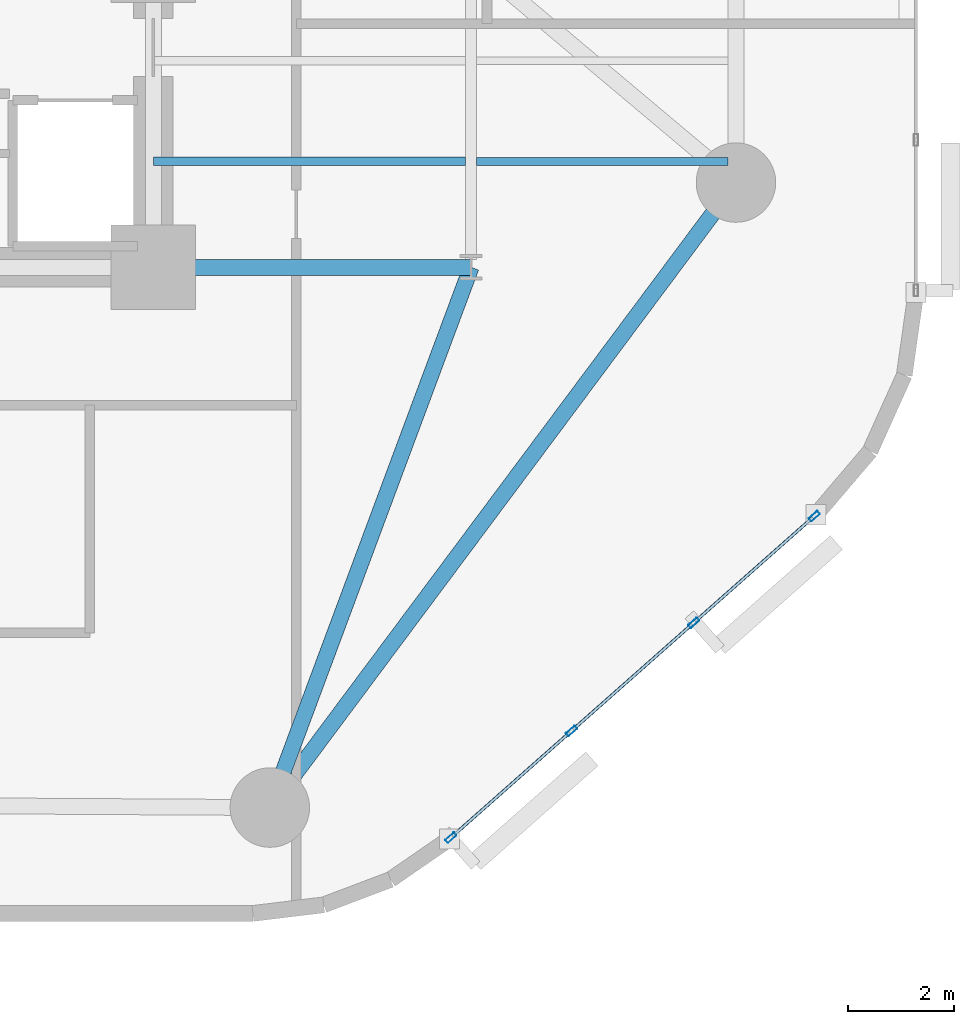
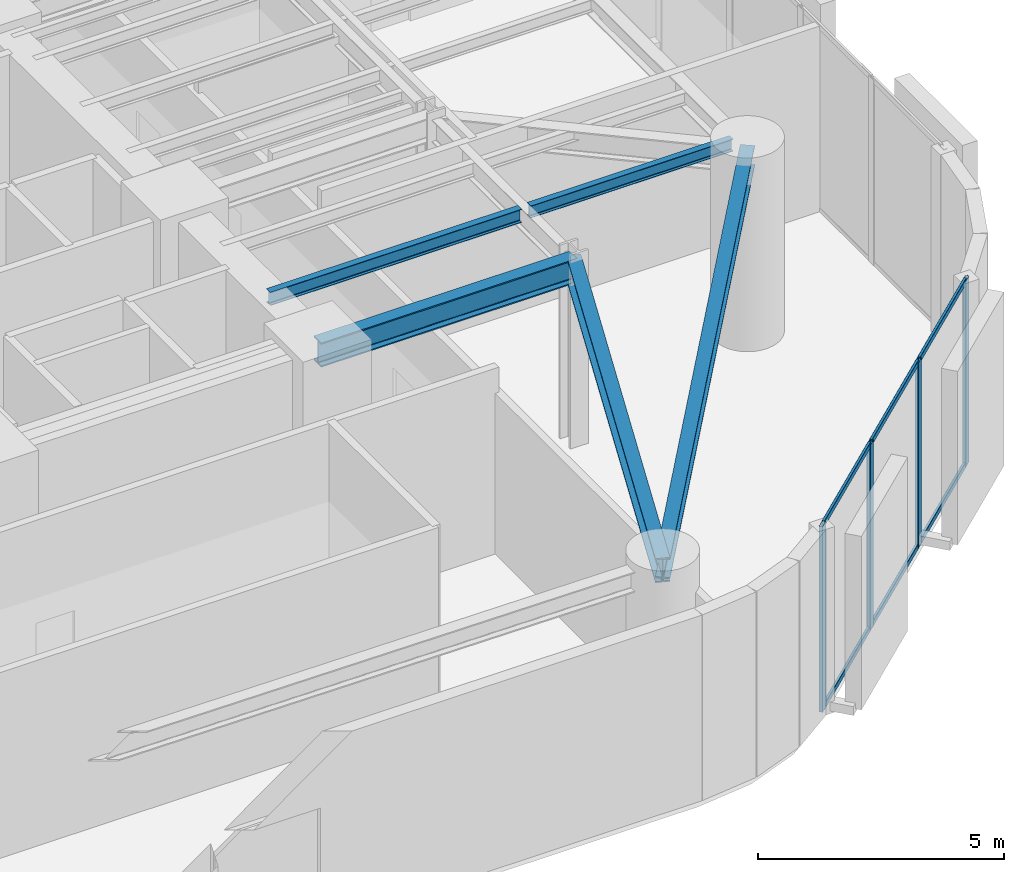
# One storey, part 2 of 13: 10 members, 5 beams, 1 element without a shape of its own.
"""IFC4 building model written with IfcOpenShell, lengths in metres."""

from ifc_helpers import new_model, si_unit, direction, frame, origin, origin_2d, place, context, subcontext, project, spatial, hollow_rectangle, i_section, extrude, material, layer, layer_set, material_profile, profile_set, type_object, element, aggregate, save


model = new_model("IFC4")

# Units and contexts
model_context = context("Model", 3, precision=1e-05, world=origin(), true_north=direction((0.0, 1.0)))
body_context = subcontext(model_context, "Body", "Model", "MODEL_VIEW")
ifc_project = project(units=[si_unit("LENGTHUNIT", "METRE"), si_unit("AREAUNIT", "SQUARE_METRE"), si_unit("VOLUMEUNIT", "CUBIC_METRE"), si_unit("PLANEANGLEUNIT", "RADIAN"), si_unit("MASSUNIT", "GRAM", prefix="KILO")], contexts=[model_context])

# Site, building, storey
site_placement = place(None, origin())
site = spatial("IfcSite", under=ifc_project, at=site_placement, CompositionType="ELEMENT")
building_placement = place(site_placement, origin())
building = spatial("IfcBuilding", under=site, at=building_placement, Name="An Khanh Terracotta Commons", CompositionType="ELEMENT")
storey_placement = place(building_placement, frame((0.0, 0.0, 24.0)))
storey = spatial("IfcBuildingStorey", under=building, at=storey_placement, Name="L06", CompositionType="ELEMENT", Elevation=24.0)

# Beams
ifc_material_1 = material(Name="Steel S355J2", Category="steel")
ifc_material_profile_1 = material_profile(ifc_material_1, i_section(OverallWidth=0.300048828125, OverallDepth=0.5, WebThickness=0.014404296875, FlangeThickness=0.028076171875, FilletRadius=0.027099609375, at=origin_2d()), Name="HEB500")
ifc_profile_set_1 = profile_set([ifc_material_profile_1], Name="Steel S355J2")
beam_type_1 = type_object("IfcBeamType", Name="BM-HEB500", PredefinedType="BEAM", material=ifc_profile_set_1)
beam_1_placement = place(storey_placement, frame((39.39990234375, 4.199951171875, 4.35009765625), z_axis=(0.59782442166, 0.801627070942, 0.0), x_axis=(-0.801627070942, 0.59782442166, 0.0)))
element("IfcBeam", 1, at=beam_1_placement, inside=storey, type_object=beam_type_1, Name="L06 Perimeter Ring Spandrel 2", PredefinedType="BEAM", context=body_context, shape_type="SweptSolid", body=[
    extrude(i_section(OverallWidth=0.300048828125, OverallDepth=0.5, WebThickness=0.014404296875, FlangeThickness=0.028076171875, FilletRadius=0.027099609375, at=origin_2d()), origin(), (0.0, 0.0, 1.0), 14.72021484375),
])
ifc_material_profile_2 = material_profile(ifc_material_1, i_section(OverallWidth=0.300048828125, OverallDepth=0.60009765625, WebThickness=0.015380859375, FlangeThickness=0.030029296875, FilletRadius=0.027099609375, at=origin_2d()), Name="HEB600")
ifc_profile_set_2 = profile_set([ifc_material_profile_2], Name="Steel S355J2")
beam_type_2 = type_object("IfcBeamType", Name="BM-HEB600", PredefinedType="BEAM", material=ifc_profile_set_2)
beam_2_placement = place(storey_placement, frame((37.199951171875, 14.39990234375, 4.300048828125), z_axis=(1.0, 0.0, 0.0), x_axis=(0.0, 1.0, 0.0)))
element("IfcBeam", 2, at=beam_2_placement, inside=storey, type_object=beam_type_2, Name="L06 East Primary Floor Girder 1", PredefinedType="BEAM", context=body_context, shape_type="SweptSolid", body=[
    extrude(i_section(OverallWidth=0.300048828125, OverallDepth=0.60009765625, WebThickness=0.015380859375, FlangeThickness=0.030029296875, FilletRadius=0.027099609375, at=origin_2d()), origin(), (0.0, 0.0, 1.0), 6.0),
])
beam_3_placement = place(storey_placement, frame((39.39990234375, 4.199951171875, 4.300048828125), z_axis=(0.349114429862, 0.937080100558, 0.0), x_axis=(-0.937080100558, 0.349114429862, 0.0)))
element("IfcBeam", 3, at=beam_3_placement, inside=storey, type_object=beam_type_2, Name="L06 Mega-Column Tie Girder 2", PredefinedType="BEAM", context=body_context, shape_type="SweptSolid", body=[
    extrude(i_section(OverallWidth=0.300048828125, OverallDepth=0.60009765625, WebThickness=0.015380859375, FlangeThickness=0.030029296875, FilletRadius=0.027099609375, at=origin_2d()), origin(), (0.0, 0.0, 1.0), 10.884765625),
])
ifc_material_profile_3 = material_profile(ifc_material_1, i_section(OverallWidth=0.14990234375, OverallDepth=0.300048828125, WebThickness=0.007080078125, FlangeThickness=0.0107421875, FilletRadius=0.014892578125, at=origin_2d()), Name="IPE300")
ifc_profile_set_3 = profile_set([ifc_material_profile_3], Name="Steel S355J2")
beam_type_3 = type_object("IfcBeamType", Name="BM-IPE300", PredefinedType="JOIST", material=ifc_profile_set_3)
beam_4_placement = place(storey_placement, frame((43.304931640625, 16.39990234375, 4.449951171875), z_axis=(1.0, 0.0, 0.0), x_axis=(0.0, 1.0, 0.0)))
element("IfcBeam", 4, at=beam_4_placement, inside=storey, type_object=beam_type_3, Name="L06 Riverfront Composite Joist 1", PredefinedType="JOIST", context=body_context, shape_type="SweptSolid", body=[
    extrude(i_section(OverallWidth=0.14990234375, OverallDepth=0.300048828125, WebThickness=0.007080078125, FlangeThickness=0.0107421875, FilletRadius=0.014892578125, at=origin_2d()), origin(), (0.0, 0.0, 1.0), 4.7451171875),
])
ifc_material_profile_4 = material_profile(ifc_material_1, i_section(OverallWidth=0.159912109375, OverallDepth=0.330078125, WebThickness=0.007568359375, FlangeThickness=0.011474609375, FilletRadius=0.01806640625, at=origin_2d()), Name="IPE330")
ifc_profile_set_4 = profile_set([ifc_material_profile_4], Name="Steel S355J2")
beam_type_4 = type_object("IfcBeamType", Name="BM-IPE330", PredefinedType="JOIST", material=ifc_profile_set_4)
beam_5_placement = place(storey_placement, frame((37.199951171875, 16.39990234375, 4.43505859375), z_axis=(1.0, 0.0, 0.0), x_axis=(0.0, 1.0, 0.0)))
element("IfcBeam", 5, at=beam_5_placement, inside=storey, type_object=beam_type_4, Name="L06 Inboard Composite Joist 1", PredefinedType="JOIST", context=body_context, shape_type="SweptSolid", body=[
    extrude(i_section(OverallWidth=0.159912109375, OverallDepth=0.330078125, WebThickness=0.007568359375, FlangeThickness=0.011474609375, FilletRadius=0.01806640625, at=origin_2d()), origin(), (0.0, 0.0, 1.0), 5.89501953125),
])

# Curtain wall, members
ifc_material_2 = material(Name="Anodised Aluminium 6063-T6", Category="aluminium")
ifc_layer = layer(ifc_material_2, 0.239990234375, Name="Anodised Aluminium 6063-T6")
ifc_layer_set = layer_set([ifc_layer], Name="Anodised Aluminium 6063-T6")
curtain_wall_type = type_object("IfcCurtainWallType", Name="CW-SYS-04", PredefinedType="USERDEFINED", material=ifc_layer_set)
curtain_wall_placement = place(storey_placement, origin())
curtain_wall = element("IfcCurtainWall", 6, at=curtain_wall_placement, inside=storey, type_object=curtain_wall_type, Name="L06 CW-04 Unitised Curtain Wall CW-L06-08", ObjectType="UNITISED CURTAIN WALL", PredefinedType="USERDEFINED")
ifc_material_profile_5 = material_profile(ifc_material_2, hollow_rectangle(XDim=0.080078125, YDim=0.219970703125, WallThickness=0.0048828125, InnerFilletRadius=0.0048828125, OuterFilletRadius=0.010009765625, at=origin_2d()), Name="RHS220x80x5")
ifc_profile_set_5 = profile_set([ifc_material_profile_5], Name="Anodised Aluminium 6063-T6")
member_type_1 = type_object("IfcMemberType", Name="CWM-RHS220x80x5", PredefinedType="MULLION", material=ifc_profile_set_5)
member_1_placement = place(storey_placement, frame((42.81884765625, 3.632568359375, 0.0), z_axis=(0.0, 0.0, 1.0), x_axis=(-0.662548195415, 0.749019284633, 0.0)))
member_1 = element("IfcMember", 7, at=member_1_placement, type_object=member_type_1, Name="CW-04 mullion 1", PredefinedType="MULLION", context=body_context, shape_type="SweptSolid", body=[
    extrude(hollow_rectangle(XDim=0.080078125, YDim=0.219970703125, WallThickness=0.0048828125, InnerFilletRadius=0.0048828125, OuterFilletRadius=0.010009765625, at=origin_2d()), origin(), (0.0, 0.0, 1.0), 4.60009765625),
])
member_2_placement = place(storey_placement, frame((45.095947265625, 5.646728515625, 0.0), z_axis=(0.0, 0.0, 1.0), x_axis=(-0.662548195415, 0.749019284633, 0.0)))
member_2 = element("IfcMember", 8, at=member_2_placement, type_object=member_type_1, Name="CW-04 mullion 2", PredefinedType="MULLION", context=body_context, shape_type="SweptSolid", body=[
    extrude(hollow_rectangle(XDim=0.080078125, YDim=0.219970703125, WallThickness=0.0048828125, InnerFilletRadius=0.0048828125, OuterFilletRadius=0.010009765625, at=origin_2d()), origin(), (0.0, 0.0, 1.0), 4.60009765625),
])
member_3_placement = place(storey_placement, frame((47.403076171875, 7.687255859375, 0.0), z_axis=(0.0, 0.0, 1.0), x_axis=(-0.662548195415, 0.749019284633, 0.0)))
member_3 = element("IfcMember", 9, at=member_3_placement, type_object=member_type_1, Name="CW-04 mullion 3", PredefinedType="MULLION", context=body_context, shape_type="SweptSolid", body=[
    extrude(hollow_rectangle(XDim=0.080078125, YDim=0.219970703125, WallThickness=0.0048828125, InnerFilletRadius=0.0048828125, OuterFilletRadius=0.010009765625, at=origin_2d()), origin(), (0.0, 0.0, 1.0), 4.60009765625),
])
member_4_placement = place(storey_placement, frame((49.679931640625, 9.701416015625, 0.0), z_axis=(0.0, 0.0, 1.0), x_axis=(-0.662548195415, 0.749019284633, 0.0)))
member_4 = element("IfcMember", 10, at=member_4_placement, type_object=member_type_1, Name="CW-04 mullion 4", PredefinedType="MULLION", context=body_context, shape_type="SweptSolid", body=[
    extrude(hollow_rectangle(XDim=0.080078125, YDim=0.219970703125, WallThickness=0.0048828125, InnerFilletRadius=0.0048828125, OuterFilletRadius=0.010009765625, at=origin_2d()), origin(), (0.0, 0.0, 1.0), 4.60009765625),
])
ifc_material_profile_6 = material_profile(ifc_material_2, hollow_rectangle(XDim=0.06005859375, YDim=0.135009765625, WallThickness=0.003662109375, InnerFilletRadius=0.003662109375, OuterFilletRadius=0.007080078125, at=origin_2d()), Name="RHS135x60x3.6")
ifc_profile_set_6 = profile_set([ifc_material_profile_6], Name="Anodised Aluminium 6063-T6")
member_type_2 = type_object("IfcMemberType", Name="CWT-RHS135x60x3.6", PredefinedType="USERDEFINED", material=ifc_profile_set_6)
member_5_placement = place(storey_placement, frame((42.848876953125, 3.658935546875, 0.030029296875), z_axis=(0.74900443401, 0.662564983857, 0.0), x_axis=(-0.662564983857, 0.74900443401, 0.0)))
member_5 = element("IfcMember", 11, at=member_5_placement, type_object=member_type_2, Name="CW-04 transom 1.1", ObjectType="TRANSOM", PredefinedType="USERDEFINED", context=body_context, shape_type="SweptSolid", body=[
    extrude(hollow_rectangle(XDim=0.06005859375, YDim=0.135009765625, WallThickness=0.003662109375, InnerFilletRadius=0.003662109375, OuterFilletRadius=0.007080078125, at=origin_2d()), origin(), (0.0, 0.0, 1.0), 2.9599609375),
])
member_6_placement = place(storey_placement, frame((42.848876953125, 3.658935546875, 4.570068359375), z_axis=(0.74900443401, 0.662564983857, 0.0), x_axis=(-0.662564983857, 0.74900443401, 0.0)))
member_6 = element("IfcMember", 12, at=member_6_placement, type_object=member_type_2, Name="CW-04 transom 1.2", ObjectType="TRANSOM", PredefinedType="USERDEFINED", context=body_context, shape_type="SweptSolid", body=[
    extrude(hollow_rectangle(XDim=0.06005859375, YDim=0.135009765625, WallThickness=0.003662109375, InnerFilletRadius=0.003662109375, OuterFilletRadius=0.007080078125, at=origin_2d()), origin(), (0.0, 0.0, 1.0), 2.9599609375),
])
member_7_placement = place(storey_placement, frame((45.1259765625, 5.673095703125, 0.030029296875), z_axis=(0.74899656249, 0.662573882203, 0.0), x_axis=(-0.662573882203, 0.74899656249, 0.0)))
member_7 = element("IfcMember", 13, at=member_7_placement, type_object=member_type_2, Name="CW-04 transom 2.1", ObjectType="TRANSOM", PredefinedType="USERDEFINED", context=body_context, shape_type="SweptSolid", body=[
    extrude(hollow_rectangle(XDim=0.06005859375, YDim=0.135009765625, WallThickness=0.003662109375, InnerFilletRadius=0.003662109375, OuterFilletRadius=0.007080078125, at=origin_2d()), origin(), (0.0, 0.0, 1.0), 3.0),
])
member_8_placement = place(storey_placement, frame((45.1259765625, 5.673095703125, 4.570068359375), z_axis=(0.74899656249, 0.662573882203, 0.0), x_axis=(-0.662573882203, 0.74899656249, 0.0)))
member_8 = element("IfcMember", 14, at=member_8_placement, type_object=member_type_2, Name="CW-04 transom 2.2", ObjectType="TRANSOM", PredefinedType="USERDEFINED", context=body_context, shape_type="SweptSolid", body=[
    extrude(hollow_rectangle(XDim=0.06005859375, YDim=0.135009765625, WallThickness=0.003662109375, InnerFilletRadius=0.003662109375, OuterFilletRadius=0.007080078125, at=origin_2d()), origin(), (0.0, 0.0, 1.0), 3.0),
])
member_9_placement = place(storey_placement, frame((47.432861328125, 7.7138671875, 0.030029296875), z_axis=(0.749040638917, 0.662524053338, 0.0), x_axis=(-0.662524053338, 0.749040638917, 0.0)))
member_9 = element("IfcMember", 15, at=member_9_placement, type_object=member_type_2, Name="CW-04 transom 3.1", ObjectType="TRANSOM", PredefinedType="USERDEFINED", context=body_context, shape_type="SweptSolid", body=[
    extrude(hollow_rectangle(XDim=0.06005859375, YDim=0.135009765625, WallThickness=0.003662109375, InnerFilletRadius=0.003662109375, OuterFilletRadius=0.007080078125, at=origin_2d()), origin(), (0.0, 0.0, 1.0), 2.960205078125),
])
member_10_placement = place(storey_placement, frame((47.432861328125, 7.7138671875, 4.570068359375), z_axis=(0.749040638917, 0.662524053338, 0.0), x_axis=(-0.662524053338, 0.749040638917, 0.0)))
member_10 = element("IfcMember", 16, at=member_10_placement, type_object=member_type_2, Name="CW-04 transom 3.2", ObjectType="TRANSOM", PredefinedType="USERDEFINED", context=body_context, shape_type="SweptSolid", body=[
    extrude(hollow_rectangle(XDim=0.06005859375, YDim=0.135009765625, WallThickness=0.003662109375, InnerFilletRadius=0.003662109375, OuterFilletRadius=0.007080078125, at=origin_2d()), origin(), (0.0, 0.0, 1.0), 2.960205078125),
])
aggregate(curtain_wall, [member_1, member_2, member_3, member_4, member_5, member_6, member_7, member_8, member_9, member_10])

save(model, "model.ifc")
